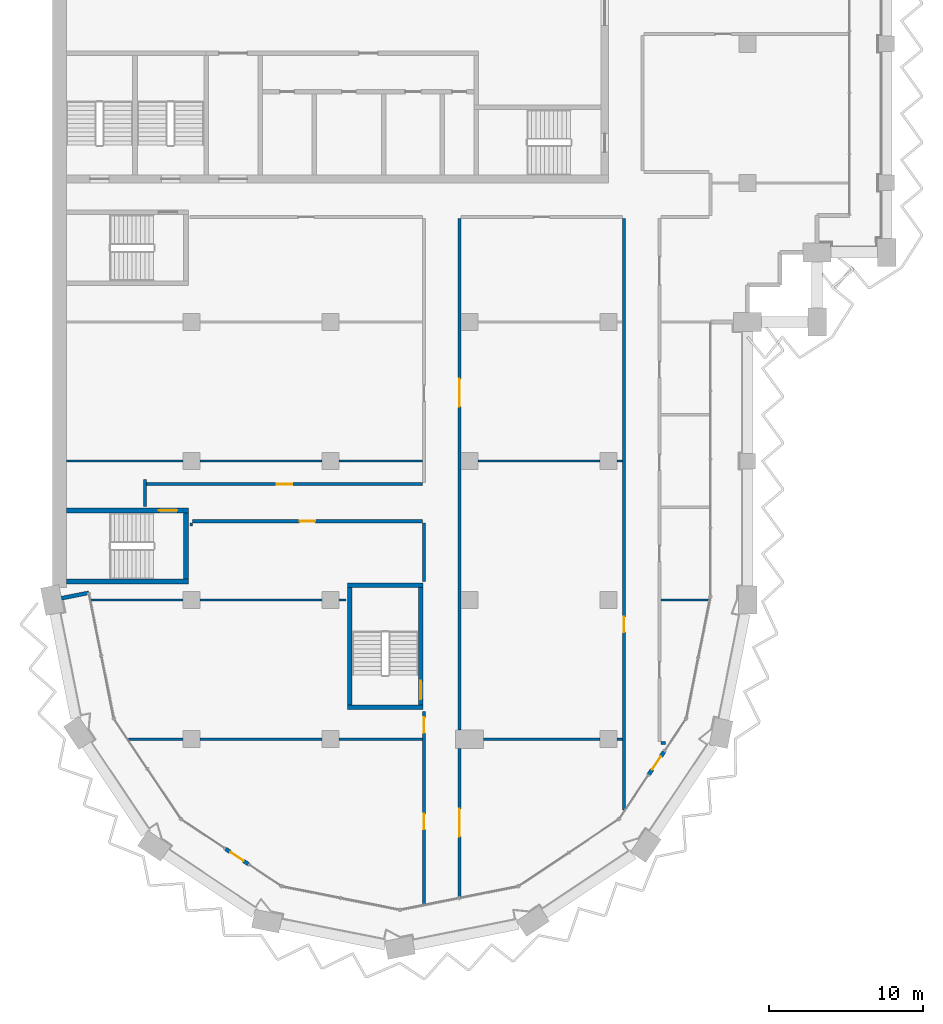
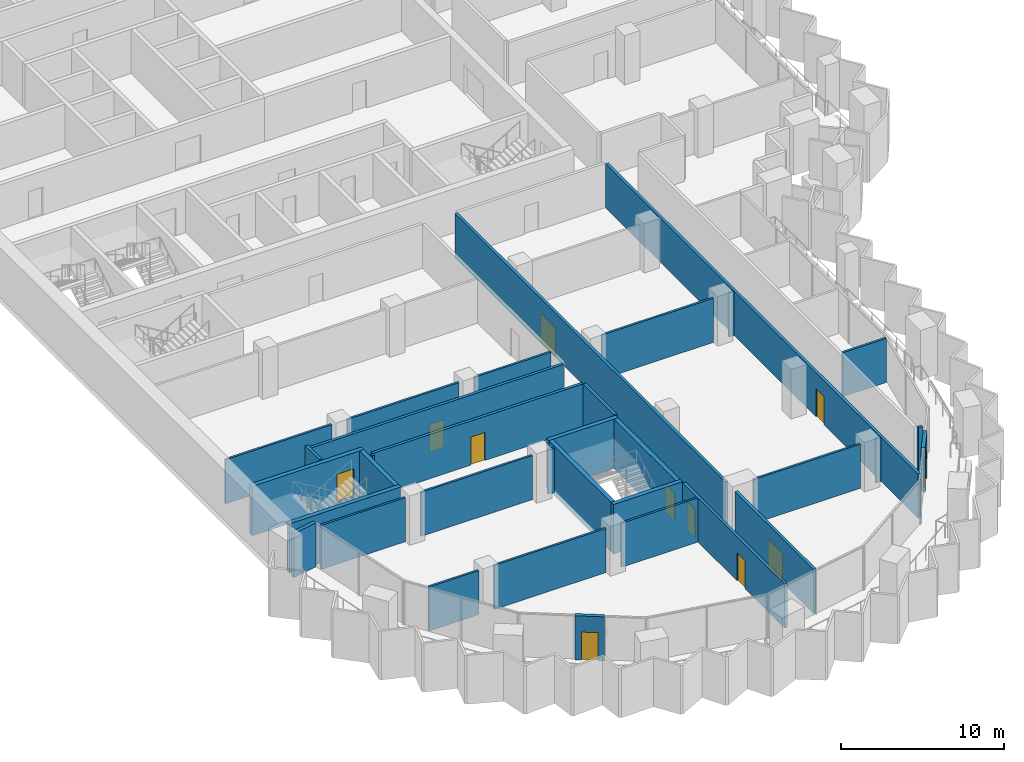
# One storey, part 7 of 17: 34 walls, 11 doors, 11 openings.
"""IFC4 building model written with IfcOpenShell, lengths in metres."""

from ifc_helpers import new_model, si_unit, direction, frame, frame_2d, origin, place, context, subcontext, project, spatial, rectangle, extrude, material, layer, layer_set, type_object, element, fill, save


model = new_model("IFC4")

# Units and contexts
model_context = context("Model", 3, precision=1e-05, world=origin(), true_north=direction((0.0, 1.0)))
body_context = subcontext(model_context, "Body", "Model", "MODEL_VIEW")
ifc_project = project(units=[si_unit("LENGTHUNIT", "METRE"), si_unit("AREAUNIT", "SQUARE_METRE"), si_unit("VOLUMEUNIT", "CUBIC_METRE"), si_unit("PLANEANGLEUNIT", "RADIAN"), si_unit("MASSUNIT", "GRAM", prefix="KILO")], contexts=[model_context])

# Site, building, storey
site_placement = place(None, origin())
site = spatial("IfcSite", under=ifc_project, at=site_placement, CompositionType="ELEMENT")
building_placement = place(site_placement, origin())
building = spatial("IfcBuilding", under=site, at=building_placement, Name="Hunhe Ridgeline Campus", CompositionType="ELEMENT")
storey_placement = place(building_placement, frame((0.0, 0.0, 201.300048828125)))
storey = spatial("IfcBuildingStorey", under=building, at=storey_placement, Name="L51", CompositionType="ELEMENT", Elevation=201.300048828125)

# Walls
ifc_material_1 = material(Name="Concrete C30", Category="concrete")
ifc_layer_1 = layer(ifc_material_1, 0.25)
ifc_layer_set_1 = layer_set([ifc_layer_1], Name="Corner return wall 250 Concrete C30")
wall_type_1 = type_object("IfcWallType", Name="Corner return wall 250 Concrete C30", PredefinedType="SOLIDWALL", material=ifc_layer_set_1)
wall_1_placement = place(storey_placement, frame((0.58837890625, 36.117919921875, 0.0), z_axis=(0.0, 0.0, 1.0), x_axis=(0.980840518545, 0.194812415363, 0.0)))
element("IfcWall", 1, at=wall_1_placement, inside=storey, type_object=wall_type_1, Name="Corner return wall 1", PredefinedType="SOLIDWALL", context=body_context, shape_type="SweptSolid", body=[
    extrude(rectangle(XDim=1.80078125, YDim=0.25, at=frame_2d((0.900390625, 0.0))), origin(), (0.0, 0.0, 1.0), 3.300048828125),
])
ifc_material_2 = material(Name="Gypsum board partition")
ifc_layer_2 = layer(ifc_material_2, 0.199951171875)
ifc_layer_set_2 = layer_set([ifc_layer_2], Name="Corridor partition 200 gypsum board on steel studs")
wall_type_2 = type_object("IfcWallType", Name="Corridor partition 200 gypsum board on steel studs", PredefinedType="PARTITIONING", material=ifc_layer_set_2)
wall_2_placement = place(storey_placement, frame((39.39990234375, 26.748046875, 0.0), z_axis=(0.0, 0.0, 1.0), x_axis=(1.0, 0.0, 0.0)))
element("IfcWall", 2, at=wall_2_placement, inside=storey, type_object=wall_type_2, Name="F-L51-wall-001", PredefinedType="PARTITIONING", context=body_context, shape_type="SweptSolid", body=[
    extrude(rectangle(XDim=0.30224609375, YDim=0.199951171875, at=frame_2d((0.151123046875, 0.0))), origin(), (0.0, 0.0, 1.0), 3.300048828125),
])

# Wall, opening, door
wall_3_placement = place(storey_placement, frame((23.949951171875, 41.10009765625, 0.0), z_axis=(0.0, 0.0, 1.0), x_axis=(-1.0, 0.0, 0.0)))
wall_3 = element("IfcWall", 3, at=wall_3_placement, inside=storey, type_object=wall_type_2, Name="F-L51-wall-011", PredefinedType="PARTITIONING", context=body_context, shape_type="SweptSolid", body=[
    extrude(rectangle(XDim=14.875, YDim=0.199951171875, at=frame_2d((7.4375, 0.0))), origin(), (0.0, 0.0, 1.0), 3.300048828125),
])
opening_1_placement = place(wall_3_placement, frame((6.9375, 0.0, 0.0)))
opening_1 = element("IfcOpeningElement", 4, at=opening_1_placement, cuts=wall_3, Name="Opening RD1-007", PredefinedType="OPENING", context=body_context, shape_type="SweptSolid", body=[
    extrude(rectangle(XDim=1.0, YDim=2.10009765625, at=frame_2d((0.5, 1.050048828125))), frame((0.0, 0.10009765625, 0.0), z_axis=(0.0, -1.0, 0.0), x_axis=(1.0, 0.0, 0.0)), (0.0, 0.0, 1.0), 0.199951171875),
])
ifc_material_3 = material(Name="Timber door leaf", Category="wood")
door_type_1 = type_object("IfcDoorType", Name="Single fire door 1000x2100 timber FD60", OperationType="NOTDEFINED", PredefinedType="DOOR", material=ifc_material_3)
door_1_placement = place(opening_1_placement, origin())
door_1 = element("IfcDoor", 5, at=door_1_placement, inside=storey, type_object=door_type_1, Name="F-L51-door-007", OperationType="SINGLE_SWING_LEFT", OverallHeight=2.10009765625, OverallWidth=1.0, PredefinedType="DOOR", context=body_context, shape_type="SweptSolid", body=[
    extrude(rectangle(XDim=1.0, YDim=2.10009765625, at=frame_2d((0.5, 1.050048828125))), frame((0.0, 0.02490234375, 0.0), z_axis=(0.0, -1.0, 0.0), x_axis=(1.0, 0.0, 0.0)), (0.0, 0.0, 1.0), 0.050048828125),
])
fill(opening_1, door_1)

wall_4_placement = place(storey_placement, frame((6.10009765625, 43.5, 0.0), z_axis=(0.0, 0.0, 1.0), x_axis=(1.0, 0.0, 0.0)))
wall_4 = element("IfcWall", 6, at=wall_4_placement, inside=storey, type_object=wall_type_2, Name="F-L51-wall-013", PredefinedType="PARTITIONING", context=body_context, shape_type="SweptSolid", body=[
    extrude(rectangle(XDim=17.849853515625, YDim=0.199951171875, at=frame_2d((8.9248046875, 0.0))), origin(), (0.0, 0.0, 1.0), 3.300048828125),
])
opening_2_placement = place(wall_4_placement, frame((8.425048828125, 0.0, 0.0)))
opening_2 = element("IfcOpeningElement", 7, at=opening_2_placement, cuts=wall_4, Name="Opening RD1-008", PredefinedType="OPENING", context=body_context, shape_type="SweptSolid", body=[
    extrude(rectangle(XDim=1.0, YDim=2.10009765625, at=frame_2d((0.5, 1.050048828125))), frame((0.0, 0.10009765625, 0.0), z_axis=(0.0, -1.0, 0.0), x_axis=(1.0, 0.0, 0.0)), (0.0, 0.0, 1.0), 0.199951171875),
])
door_2_placement = place(opening_2_placement, origin())
door_2 = element("IfcDoor", 8, at=door_2_placement, inside=storey, type_object=door_type_1, Name="F-L51-door-008", OperationType="SINGLE_SWING_LEFT", OverallHeight=2.10009765625, OverallWidth=1.0, PredefinedType="DOOR", context=body_context, shape_type="SweptSolid", body=[
    extrude(rectangle(XDim=1.0, YDim=2.10009765625, at=frame_2d((0.5, 1.050048828125))), frame((0.0, 0.02490234375, 0.0), z_axis=(0.0, -1.0, 0.0), x_axis=(1.0, 0.0, 0.0)), (0.0, 0.0, 1.0), 0.050048828125),
])
fill(opening_2, door_2)

# Wall
wall_5_placement = place(storey_placement, frame((6.0, 42.053955078125, 0.0), z_axis=(0.0, 0.0, 1.0), x_axis=(0.0, 1.0, 0.0)))
element("IfcWall", 9, at=wall_5_placement, inside=storey, type_object=wall_type_2, Name="F-L51-wall-036", PredefinedType="PARTITIONING", context=body_context, shape_type="SweptSolid", body=[
    extrude(rectangle(XDim=1.74609375, YDim=0.199951171875, at=frame_2d((0.873046875, 0.0))), origin(), (0.0, 0.0, 1.0), 3.300048828125),
])

# Wall, openings, doors
wall_6_placement = place(storey_placement, frame((24.050048828125, 16.3115234375, 0.0), z_axis=(0.0, 0.0, 1.0), x_axis=(0.0, 1.0, 0.0)))
wall_6 = element("IfcWall", 10, at=wall_6_placement, inside=storey, type_object=wall_type_2, Name="F-L51-wall-038", PredefinedType="PARTITIONING", context=body_context, shape_type="SweptSolid", body=[
    extrude(rectangle(XDim=12.484375, YDim=0.199951171875, at=frame_2d((6.2421875, 0.0))), origin(), (0.0, 0.0, 1.0), 3.300048828125),
])
opening_3_placement = place(wall_6_placement, frame((4.8505859375, 0.0, 0.0)))
opening_3 = element("IfcOpeningElement", 11, at=opening_3_placement, cuts=wall_6, Name="Opening RD1-002", PredefinedType="OPENING", context=body_context, shape_type="SweptSolid", body=[
    extrude(rectangle(XDim=1.0, YDim=2.10009765625, at=frame_2d((0.5, 1.050048828125))), frame((0.0, 0.10009765625, 0.0), z_axis=(0.0, -1.0, 0.0), x_axis=(1.0, 0.0, 0.0)), (0.0, 0.0, 1.0), 0.199951171875),
])
opening_4_placement = place(wall_6_placement, frame((11.0927734375, 0.0, 0.0)))
opening_4 = element("IfcOpeningElement", 12, at=opening_4_placement, cuts=wall_6, Name="Opening RD1-003", PredefinedType="OPENING", context=body_context, shape_type="SweptSolid", body=[
    extrude(rectangle(XDim=1.0, YDim=2.10009765625, at=frame_2d((0.5, 1.050048828125))), frame((0.0, 0.10009765625, 0.0), z_axis=(0.0, -1.0, 0.0), x_axis=(1.0, 0.0, 0.0)), (0.0, 0.0, 1.0), 0.199951171875),
])
door_3_placement = place(opening_3_placement, origin())
door_3 = element("IfcDoor", 13, at=door_3_placement, inside=storey, type_object=door_type_1, Name="F-L51-door-002", OperationType="SINGLE_SWING_RIGHT", OverallHeight=2.10009765625, OverallWidth=1.0, PredefinedType="DOOR", context=body_context, shape_type="SweptSolid", body=[
    extrude(rectangle(XDim=1.0, YDim=2.10009765625, at=frame_2d((0.5, 1.050048828125))), frame((0.0, 0.02490234375, 0.0), z_axis=(0.0, -1.0, 0.0), x_axis=(1.0, 0.0, 0.0)), (0.0, 0.0, 1.0), 0.050048828125),
])
fill(opening_3, door_3)
door_4_placement = place(opening_4_placement, origin())
door_4 = element("IfcDoor", 14, at=door_4_placement, inside=storey, type_object=door_type_1, Name="F-L51-door-003", OperationType="SINGLE_SWING_RIGHT", OverallHeight=2.10009765625, OverallWidth=1.0, PredefinedType="DOOR", context=body_context, shape_type="SweptSolid", body=[
    extrude(rectangle(XDim=1.0, YDim=2.10009765625, at=frame_2d((0.5, 1.050048828125))), frame((0.0, 0.02490234375, 0.0), z_axis=(0.0, -1.0, 0.0), x_axis=(1.0, 0.0, 0.0)), (0.0, 0.0, 1.0), 0.050048828125),
])
fill(opening_4, door_4)

# Wall
wall_7_placement = place(storey_placement, frame((24.050048828125, 37.2041015625, 0.0), z_axis=(0.0, 0.0, 1.0), x_axis=(0.0, 1.0, 0.0)))
element("IfcWall", 15, at=wall_7_placement, inside=storey, type_object=wall_type_2, Name="F-L51-wall-039", PredefinedType="PARTITIONING", context=body_context, shape_type="SweptSolid", body=[
    extrude(rectangle(XDim=3.7958984375, YDim=0.199951171875, at=frame_2d((1.89794921875, 0.0))), origin(), (0.0, 0.0, 1.0), 3.300048828125),
])

# Wall, opening, door
wall_8_placement = place(storey_placement, frame((26.35009765625, 26.39990234375, 0.0), z_axis=(0.0, 0.0, 1.0), x_axis=(0.0, -1.0, 0.0)))
wall_8 = element("IfcWall", 16, at=wall_8_placement, inside=storey, type_object=wall_type_2, Name="F-L51-wall-041", PredefinedType="PARTITIONING", context=body_context, shape_type="SweptSolid", body=[
    extrude(rectangle(XDim=9.631103515625, YDim=0.199951171875, at=frame_2d((4.8154296875, 0.0))), origin(), (0.0, 0.0, 1.0), 3.300048828125),
])
opening_5_placement = place(wall_8_placement, frame((3.91552734375, 0.0, 0.0)))
opening_5 = element("IfcOpeningElement", 17, at=opening_5_placement, cuts=wall_8, Name="Opening RD2-001", PredefinedType="OPENING", context=body_context, shape_type="SweptSolid", body=[
    extrude(rectangle(XDim=1.800048828125, YDim=2.10009765625, at=frame_2d((0.89990234375, 1.050048828125))), frame((0.0, 0.10009765625, 0.0), z_axis=(0.0, -1.0, 0.0), x_axis=(1.0, 0.0, 0.0)), (0.0, 0.0, 1.0), 0.199951171875),
])
door_type_2 = type_object("IfcDoorType", Name="Double fire door 1800x2100 timber FD60", OperationType="DOUBLE_DOOR_SINGLE_SWING", PredefinedType="DOOR", material=ifc_material_3)
door_5_placement = place(opening_5_placement, origin())
door_5 = element("IfcDoor", 18, at=door_5_placement, inside=storey, type_object=door_type_2, Name="F-L51-door-001", OperationType="DOUBLE_DOOR_SINGLE_SWING", OverallHeight=2.10009765625, OverallWidth=1.800048828125, PredefinedType="DOOR", context=body_context, shape_type="SweptSolid", body=[
    extrude(rectangle(XDim=1.800048828125, YDim=2.10009765625, at=frame_2d((0.89990234375, 1.050048828125))), frame((0.0, 0.02490234375, 0.0), z_axis=(0.0, -1.0, 0.0), x_axis=(1.0, 0.0, 0.0)), (0.0, 0.0, 1.0), 0.050048828125),
])
fill(opening_5, door_5)

wall_9_placement = place(storey_placement, frame((26.35009765625, 60.699951171875, 0.0), z_axis=(0.0, 0.0, 1.0), x_axis=(0.0, -1.0, 0.0)))
wall_9 = element("IfcWall", 19, at=wall_9_placement, inside=storey, type_object=wall_type_2, Name="F-L51-wall-042", PredefinedType="PARTITIONING", context=body_context, shape_type="SweptSolid", body=[
    extrude(rectangle(XDim=33.099853515625, YDim=0.199951171875, at=frame_2d((16.5498046875, 0.0))), origin(), (0.0, 0.0, 1.0), 3.300048828125),
])
opening_6_placement = place(wall_9_placement, frame((10.384033203125, 0.0, 0.0)))
opening_6 = element("IfcOpeningElement", 20, at=opening_6_placement, cuts=wall_9, Name="Opening RD2-011", PredefinedType="OPENING", context=body_context, shape_type="SweptSolid", body=[
    extrude(rectangle(XDim=1.800048828125, YDim=2.10009765625, at=frame_2d((0.89990234375, 1.050048828125))), frame((0.0, 0.10009765625, 0.0), z_axis=(0.0, -1.0, 0.0), x_axis=(1.0, 0.0, 0.0)), (0.0, 0.0, 1.0), 0.199951171875),
])
door_6_placement = place(opening_6_placement, origin())
door_6 = element("IfcDoor", 21, at=door_6_placement, inside=storey, type_object=door_type_2, Name="F-L51-door-011", OperationType="DOUBLE_DOOR_SINGLE_SWING", OverallHeight=2.10009765625, OverallWidth=1.800048828125, PredefinedType="DOOR", context=body_context, shape_type="SweptSolid", body=[
    extrude(rectangle(XDim=1.800048828125, YDim=2.10009765625, at=frame_2d((0.89990234375, 1.050048828125))), frame((0.0, 0.02490234375, 0.0), z_axis=(0.0, -1.0, 0.0), x_axis=(1.0, 0.0, 0.0)), (0.0, 0.0, 1.0), 0.050048828125),
])
fill(opening_6, door_6)

wall_10_placement = place(storey_placement, frame((37.0, 22.39892578125, 0.0), z_axis=(0.0, 0.0, 1.0), x_axis=(0.0, 1.0, 0.0)))
wall_10 = element("IfcWall", 22, at=wall_10_placement, inside=storey, type_object=wall_type_2, Name="F-L51-wall-043", PredefinedType="PARTITIONING", context=body_context, shape_type="SweptSolid", body=[
    extrude(rectangle(XDim=38.301025390625, YDim=0.199951171875, at=frame_2d((19.150390625, 0.0))), origin(), (0.0, 0.0, 1.0), 3.300048828125),
])
opening_7_placement = place(wall_10_placement, frame((11.51806640625, 0.0, 0.0)))
opening_7 = element("IfcOpeningElement", 23, at=opening_7_placement, cuts=wall_10, Name="Opening RD1-005", PredefinedType="OPENING", context=body_context, shape_type="SweptSolid", body=[
    extrude(rectangle(XDim=1.0, YDim=2.10009765625, at=frame_2d((0.5, 1.050048828125))), frame((0.0, 0.10009765625, 0.0), z_axis=(0.0, -1.0, 0.0), x_axis=(1.0, 0.0, 0.0)), (0.0, 0.0, 1.0), 0.199951171875),
])
door_7_placement = place(opening_7_placement, origin())
door_7 = element("IfcDoor", 24, at=door_7_placement, inside=storey, type_object=door_type_1, Name="F-L51-door-005", OperationType="SINGLE_SWING_LEFT", OverallHeight=2.10009765625, OverallWidth=1.0, PredefinedType="DOOR", context=body_context, shape_type="SweptSolid", body=[
    extrude(rectangle(XDim=1.0, YDim=2.10009765625, at=frame_2d((0.5, 1.050048828125))), frame((0.0, 0.02490234375, 0.0), z_axis=(0.0, -1.0, 0.0), x_axis=(1.0, 0.0, 0.0)), (0.0, 0.0, 1.0), 0.050048828125),
])
fill(opening_7, door_7)

ifc_layer_3 = layer(ifc_material_1, 0.25)
ifc_layer_set_3 = layer_set([ifc_layer_3], Name="Loggia door pier wall 250 Concrete C30")
wall_type_3 = type_object("IfcWallType", Name="Loggia door pier wall 250 Concrete C30", PredefinedType="SOLIDWALL", material=ifc_layer_set_3)
wall_11_placement = place(storey_placement, frame((11.19970703125, 19.897705078125, 0.0), z_axis=(0.0, 0.0, 1.0), x_axis=(0.83146554274, -0.555576323502, 0.0)))
wall_11 = element("IfcWall", 25, at=wall_11_placement, inside=storey, type_object=wall_type_3, Name="Loggia door pier 1", PredefinedType="SOLIDWALL", context=body_context, shape_type="SweptSolid", body=[
    extrude(rectangle(XDim=1.800048828125, YDim=0.25, at=frame_2d((0.89990234375, 0.0))), origin(), (0.0, 0.0, 1.0), 3.300048828125),
])
opening_8_placement = place(wall_11_placement, frame((0.39990234375, 0.0, 0.0)))
opening_8 = element("IfcOpeningElement", 26, at=opening_8_placement, cuts=wall_11, Name="Opening BD402", PredefinedType="OPENING", context=body_context, shape_type="SweptSolid", body=[
    extrude(rectangle(XDim=1.0, YDim=2.10009765625, at=frame_2d((0.5, 1.050048828125))), frame((0.0, 0.125, 0.0), z_axis=(0.0, -1.0, 0.0), x_axis=(1.0, 0.0, 0.0)), (0.0, 0.0, 1.0), 0.25),
])
ifc_material_4 = material(Name="Aluminium 6063", Category="aluminium")
door_type_3 = type_object("IfcDoorType", Name="Loggia glazed door 1000x2100", OperationType="NOTDEFINED", PredefinedType="DOOR", material=ifc_material_4)
door_8_placement = place(opening_8_placement, frame((1.0, 0.0, 0.0), z_axis=(0.0, 0.0, 1.0), x_axis=(-1.0, 0.0, 0.0)))
door_8 = element("IfcDoor", 27, at=door_8_placement, inside=storey, type_object=door_type_3, Name="Loggia door BD402", OperationType="SINGLE_SWING_LEFT", OverallHeight=2.10009765625, OverallWidth=1.0, PredefinedType="DOOR", context=body_context, shape_type="SweptSolid", body=[
    extrude(rectangle(XDim=1.0, YDim=2.10009765625, at=frame_2d((0.5, 1.050048828125))), frame((0.0, 0.02490234375, 0.0), z_axis=(0.0, -1.0, 0.0), x_axis=(1.0, 0.0, 0.0)), (0.0, 0.0, 1.0), 0.050048828125),
])
fill(opening_8, door_8)

wall_12_placement = place(storey_placement, frame((38.602294921875, 24.69970703125, 0.0), z_axis=(0.0, 0.0, 1.0), x_axis=(0.555576323502, 0.83146554274, 0.0)))
wall_12 = element("IfcWall", 28, at=wall_12_placement, inside=storey, type_object=wall_type_3, Name="Loggia door pier 2", PredefinedType="SOLIDWALL", context=body_context, shape_type="SweptSolid", body=[
    extrude(rectangle(XDim=1.800048828125, YDim=0.25, at=frame_2d((0.89990234375, 0.0))), origin(), (0.0, 0.0, 1.0), 3.300048828125),
])
opening_9_placement = place(wall_12_placement, frame((0.39990234375, 0.0, 0.0)))
opening_9 = element("IfcOpeningElement", 29, at=opening_9_placement, cuts=wall_12, Name="Opening BD404", PredefinedType="OPENING", context=body_context, shape_type="SweptSolid", body=[
    extrude(rectangle(XDim=1.0, YDim=2.10009765625, at=frame_2d((0.5, 1.050048828125))), frame((0.0, 0.125, 0.0), z_axis=(0.0, -1.0, 0.0), x_axis=(1.0, 0.0, 0.0)), (0.0, 0.0, 1.0), 0.25),
])
door_9_placement = place(opening_9_placement, frame((1.0, 0.0, 0.0), z_axis=(0.0, 0.0, 1.0), x_axis=(-1.0, 0.0, 0.0)))
door_9 = element("IfcDoor", 30, at=door_9_placement, inside=storey, type_object=door_type_3, Name="Loggia door BD404", OperationType="SINGLE_SWING_LEFT", OverallHeight=2.10009765625, OverallWidth=1.0, PredefinedType="DOOR", context=body_context, shape_type="SweptSolid", body=[
    extrude(rectangle(XDim=1.0, YDim=2.10009765625, at=frame_2d((0.5, 1.050048828125))), frame((0.0, 0.02490234375, 0.0), z_axis=(0.0, -1.0, 0.0), x_axis=(1.0, 0.0, 0.0)), (0.0, 0.0, 1.0), 0.050048828125),
])
fill(opening_9, door_9)

# Walls
ifc_layer_4 = layer(ifc_material_2, 0.14990234375)
ifc_layer_set_4 = layer_set([ifc_layer_4], Name="Room partition 150 gypsum board on steel studs")
wall_type_4 = type_object("IfcWallType", Name="Room partition 150 gypsum board on steel studs", PredefinedType="PARTITIONING", material=ifc_layer_set_4)
wall_13_placement = place(storey_placement, frame((4.925537109375, 27.0, 0.0), z_axis=(0.0, 0.0, 1.0), x_axis=(1.0, 0.0, 0.0)))
element("IfcWall", 31, at=wall_13_placement, inside=storey, type_object=wall_type_4, Name="F-L51-wall-002", PredefinedType="PARTITIONING", context=body_context, shape_type="SweptSolid", body=[
    extrude(rectangle(XDim=3.5244140625, YDim=0.14990234375, at=frame_2d((1.76220703125, 0.0))), origin(), (0.0, 0.0, 1.0), 3.300048828125),
])
wall_14_placement = place(storey_placement, frame((9.550048828125, 27.0, 0.0), z_axis=(0.0, 0.0, 1.0), x_axis=(1.0, 0.0, 0.0)))
element("IfcWall", 32, at=wall_14_placement, inside=storey, type_object=wall_type_4, Name="F-L51-wall-003", PredefinedType="PARTITIONING", context=body_context, shape_type="SweptSolid", body=[
    extrude(rectangle(XDim=7.89990234375, YDim=0.14990234375, at=frame_2d((3.949951171875, 0.0))), origin(), (0.0, 0.0, 1.0), 3.300048828125),
])
wall_15_placement = place(storey_placement, frame((18.550048828125, 27.0, 0.0), z_axis=(0.0, 0.0, 1.0), x_axis=(1.0, 0.0, 0.0)))
element("IfcWall", 33, at=wall_15_placement, inside=storey, type_object=wall_type_4, Name="F-L51-wall-004", PredefinedType="PARTITIONING", context=body_context, shape_type="SweptSolid", body=[
    extrude(rectangle(XDim=5.39990234375, YDim=0.14990234375, at=frame_2d((2.699951171875, 0.0))), origin(), (0.0, 0.0, 1.0), 3.300048828125),
])
wall_16_placement = place(storey_placement, frame((27.89990234375, 27.0, 0.0), z_axis=(0.0, 0.0, 1.0), x_axis=(1.0, 0.0, 0.0)))
element("IfcWall", 34, at=wall_16_placement, inside=storey, type_object=wall_type_4, Name="F-L51-wall-005", PredefinedType="PARTITIONING", context=body_context, shape_type="SweptSolid", body=[
    extrude(rectangle(XDim=7.550048828125, YDim=0.14990234375, at=frame_2d((3.77490234375, 0.0))), origin(), (0.0, 0.0, 1.0), 3.300048828125),
])
wall_17_placement = place(storey_placement, frame((36.550048828125, 27.0, 0.0), z_axis=(0.0, 0.0, 1.0), x_axis=(1.0, 0.0, 0.0)))
element("IfcWall", 35, at=wall_17_placement, inside=storey, type_object=wall_type_4, Name="F-L51-wall-006", PredefinedType="PARTITIONING", context=body_context, shape_type="SweptSolid", body=[
    extrude(rectangle(XDim=0.349853515625, YDim=0.14990234375, at=frame_2d((0.1748046875, 0.0))), origin(), (0.0, 0.0, 1.0), 3.300048828125),
])
wall_18_placement = place(storey_placement, frame((2.503173828125, 36.0, 0.0), z_axis=(0.0, 0.0, 1.0), x_axis=(1.0, 0.0, 0.0)))
element("IfcWall", 36, at=wall_18_placement, inside=storey, type_object=wall_type_4, Name="F-L51-wall-007", PredefinedType="PARTITIONING", context=body_context, shape_type="SweptSolid", body=[
    extrude(rectangle(XDim=5.94677734375, YDim=0.14990234375, at=frame_2d((2.973388671875, 0.0))), origin(), (0.0, 0.0, 1.0), 3.300048828125),
])
wall_19_placement = place(storey_placement, frame((9.550048828125, 36.0, 0.0), z_axis=(0.0, 0.0, 1.0), x_axis=(1.0, 0.0, 0.0)))
element("IfcWall", 37, at=wall_19_placement, inside=storey, type_object=wall_type_4, Name="F-L51-wall-008", PredefinedType="PARTITIONING", context=body_context, shape_type="SweptSolid", body=[
    extrude(rectangle(XDim=7.89990234375, YDim=0.14990234375, at=frame_2d((3.949951171875, 0.0))), origin(), (0.0, 0.0, 1.0), 3.300048828125),
])
wall_20_placement = place(storey_placement, frame((18.550048828125, 36.0, 0.0), z_axis=(0.0, 0.0, 1.0), x_axis=(1.0, 0.0, 0.0)))
element("IfcWall", 38, at=wall_20_placement, inside=storey, type_object=wall_type_4, Name="F-L51-wall-009", PredefinedType="PARTITIONING", context=body_context, shape_type="SweptSolid", body=[
    extrude(rectangle(XDim=0.446044921875, YDim=0.14990234375, at=frame_2d((0.22314453125, 0.0))), origin(), (0.0, 0.0, 1.0), 3.300048828125),
])
wall_21_placement = place(storey_placement, frame((39.39990234375, 36.0, 0.0), z_axis=(0.0, 0.0, 1.0), x_axis=(1.0, 0.0, 0.0)))
element("IfcWall", 39, at=wall_21_placement, inside=storey, type_object=wall_type_4, Name="F-L51-wall-010", PredefinedType="PARTITIONING", context=body_context, shape_type="SweptSolid", body=[
    extrude(rectangle(XDim=3.096923828125, YDim=0.14990234375, at=frame_2d((1.54833984375, 0.0))), origin(), (0.0, 0.0, 1.0), 3.300048828125),
])
wall_22_placement = place(storey_placement, frame((0.919921875, 45.0, 0.0), z_axis=(0.0, 0.0, 1.0), x_axis=(1.0, 0.0, 0.0)))
element("IfcWall", 40, at=wall_22_placement, inside=storey, type_object=wall_type_4, Name="F-L51-wall-014", PredefinedType="PARTITIONING", context=body_context, shape_type="SweptSolid", body=[
    extrude(rectangle(XDim=7.530029296875, YDim=0.14990234375, at=frame_2d((3.76513671875, 0.0))), origin(), (0.0, 0.0, 1.0), 3.300048828125),
])
wall_23_placement = place(storey_placement, frame((9.550048828125, 45.0, 0.0), z_axis=(0.0, 0.0, 1.0), x_axis=(1.0, 0.0, 0.0)))
element("IfcWall", 41, at=wall_23_placement, inside=storey, type_object=wall_type_4, Name="F-L51-wall-015", PredefinedType="PARTITIONING", context=body_context, shape_type="SweptSolid", body=[
    extrude(rectangle(XDim=7.89990234375, YDim=0.14990234375, at=frame_2d((3.949951171875, 0.0))), origin(), (0.0, 0.0, 1.0), 3.300048828125),
])
wall_24_placement = place(storey_placement, frame((18.550048828125, 45.0, 0.0), z_axis=(0.0, 0.0, 1.0), x_axis=(1.0, 0.0, 0.0)))
element("IfcWall", 42, at=wall_24_placement, inside=storey, type_object=wall_type_4, Name="F-L51-wall-016", PredefinedType="PARTITIONING", context=body_context, shape_type="SweptSolid", body=[
    extrude(rectangle(XDim=5.39990234375, YDim=0.14990234375, at=frame_2d((2.699951171875, 0.0))), origin(), (0.0, 0.0, 1.0), 3.300048828125),
])
wall_25_placement = place(storey_placement, frame((27.550048828125, 45.0, 0.0), z_axis=(0.0, 0.0, 1.0), x_axis=(1.0, 0.0, 0.0)))
element("IfcWall", 43, at=wall_25_placement, inside=storey, type_object=wall_type_4, Name="F-L51-wall-017", PredefinedType="PARTITIONING", context=body_context, shape_type="SweptSolid", body=[
    extrude(rectangle(XDim=7.89990234375, YDim=0.14990234375, at=frame_2d((3.949951171875, 0.0))), origin(), (0.0, 0.0, 1.0), 3.300048828125),
])
wall_26_placement = place(storey_placement, frame((36.550048828125, 45.0, 0.0), z_axis=(0.0, 0.0, 1.0), x_axis=(1.0, 0.0, 0.0)))
element("IfcWall", 44, at=wall_26_placement, inside=storey, type_object=wall_type_4, Name="F-L51-wall-018", PredefinedType="PARTITIONING", context=body_context, shape_type="SweptSolid", body=[
    extrude(rectangle(XDim=0.349853515625, YDim=0.14990234375, at=frame_2d((0.1748046875, 0.0))), origin(), (0.0, 0.0, 1.0), 3.300048828125),
])
wall_27_placement = place(storey_placement, frame((9.0, 41.0, 0.0), z_axis=(0.0, 0.0, 1.0), x_axis=(0.0, -1.0, 0.0)))
element("IfcWall", 45, at=wall_27_placement, inside=storey, type_object=wall_type_4, Name="F-L51-wall-037", PredefinedType="PARTITIONING", context=body_context, shape_type="SweptSolid", body=[
    extrude(rectangle(XDim=0.199951171875, YDim=0.14990234375, at=frame_2d((0.10009765625, 0.0))), origin(), (0.0, 0.0, 1.0), 3.300048828125),
])
ifc_material_5 = material(Name="Concrete C60", Category="concrete")
ifc_layer_5 = layer(ifc_material_5, 0.300048828125)
ifc_layer_set_5 = layer_set([ifc_layer_5], Name="Stair wall 300 reinforced concrete C60")
wall_type_5 = type_object("IfcWallType", Name="Stair wall 300 reinforced concrete C60", PredefinedType="SOLIDWALL", material=ifc_layer_set_5)
for number, where, z_axis, x_axis, name in (
    (46, (19.10009765625, 29.050048828125, -0.400146484375), (0.0, 0.0, 1.0), (1.0, 0.0, 0.0), "L51 core wall 1"),
    (47, (19.10009765625, 36.949951171875, -0.400146484375), (0.0, 0.0, 1.0), (1.0, 0.0, 0.0), "L51 core wall 2"),
):
    element("IfcWall", number, at=place(storey_placement, frame(where, z_axis=z_axis, x_axis=x_axis)), inside=storey, type_object=wall_type_5, Name=name, PredefinedType="SOLIDWALL", context=body_context, shape_type="SweptSolid", body=[
        extrude(rectangle(XDim=4.89990234375, YDim=0.300048828125, at=frame_2d((2.449951171875, 0.0))), origin(), (0.0, 0.0, 1.0), 3.7001953125),
    ])
wall_28_placement = place(storey_placement, frame((0.89990234375, 37.199951171875, -0.400146484375), z_axis=(0.0, 0.0, 1.0), x_axis=(1.0, 0.0, 0.0)))
element("IfcWall", 48, at=wall_28_placement, inside=storey, type_object=wall_type_5, Name="L51 core wall 3", PredefinedType="SOLIDWALL", context=body_context, shape_type="SweptSolid", body=[
    extrude(rectangle(XDim=7.900146484375, YDim=0.300048828125, at=frame_2d((3.9501953125, 0.0))), origin(), (0.0, 0.0, 1.0), 3.7001953125),
])

# Wall, opening, door
wall_29_placement = place(storey_placement, frame((0.89990234375, 41.800048828125, -0.400146484375), z_axis=(0.0, 0.0, 1.0), x_axis=(1.0, 0.0, 0.0)))
wall_29 = element("IfcWall", 49, at=wall_29_placement, inside=storey, type_object=wall_type_5, Name="L51 core wall 4", PredefinedType="SOLIDWALL", context=body_context, shape_type="SweptSolid", body=[
    extrude(rectangle(XDim=7.900146484375, YDim=0.300048828125, at=frame_2d((3.9501953125, 0.0))), origin(), (0.0, 0.0, 1.0), 3.7001953125),
])
opening_10_placement = place(wall_29_placement, frame((6.0, 0.0, 0.39990234375)))
opening_10 = element("IfcOpeningElement", 50, at=opening_10_placement, cuts=wall_29, Name="Opening CD21", PredefinedType="OPENING", context=body_context, shape_type="SweptSolid", body=[
    extrude(rectangle(XDim=1.199951171875, YDim=2.10009765625, at=frame_2d((0.60009765625, 1.050048828125))), frame((0.0, 0.14990234375, 0.0), z_axis=(0.0, -1.0, 0.0), x_axis=(1.0, 0.0, 0.0)), (0.0, 0.0, 1.0), 0.300048828125),
])
ifc_material_6 = material(Name="Hollow metal fire door leaf")
door_type_4 = type_object("IfcDoorType", Name="Stair door 1200x2100 FD60", OperationType="SINGLE_SWING_LEFT", PredefinedType="DOOR", material=ifc_material_6)
door_10_placement = place(opening_10_placement, origin())
door_10 = element("IfcDoor", 51, at=door_10_placement, inside=storey, type_object=door_type_4, Name="L51 door W1", OperationType="SINGLE_SWING_LEFT", OverallHeight=2.10009765625, OverallWidth=1.199951171875, PredefinedType="DOOR", context=body_context, shape_type="SweptSolid", body=[
    extrude(rectangle(XDim=1.199951171875, YDim=2.10009765625, at=frame_2d((0.60009765625, 1.050048828125))), frame((0.0, 0.02490234375, 0.0), z_axis=(0.0, -1.0, 0.0), x_axis=(1.0, 0.0, 0.0)), (0.0, 0.0, 1.0), 0.050048828125),
])
fill(opening_10, door_10)

# Walls
wall_30_placement = place(storey_placement, frame((8.64990234375, 37.35009765625, -0.400146484375), z_axis=(0.0, 0.0, 1.0), x_axis=(0.0, 1.0, 0.0)))
element("IfcWall", 52, at=wall_30_placement, inside=storey, type_object=wall_type_5, Name="L51 core wall 29", PredefinedType="SOLIDWALL", context=body_context, shape_type="SweptSolid", body=[
    extrude(rectangle(XDim=4.2998046875, YDim=0.300048828125, at=frame_2d((2.14990234375, 0.0))), origin(), (0.0, 0.0, 1.0), 3.7001953125),
])
wall_31_placement = place(storey_placement, frame((19.25, 29.199951171875, -0.400146484375), z_axis=(0.0, 0.0, 1.0), x_axis=(0.0, 1.0, 0.0)))
element("IfcWall", 53, at=wall_31_placement, inside=storey, type_object=wall_type_5, Name="L51 core wall 40", PredefinedType="SOLIDWALL", context=body_context, shape_type="SweptSolid", body=[
    extrude(rectangle(XDim=7.60009765625, YDim=0.300048828125, at=frame_2d((3.800048828125, 0.0))), origin(), (0.0, 0.0, 1.0), 3.7001953125),
])

# Wall, opening, door
wall_32_placement = place(storey_placement, frame((23.85009765625, 29.199951171875, -0.400146484375), z_axis=(0.0, 0.0, 1.0), x_axis=(0.0, 1.0, 0.0)))
wall_32 = element("IfcWall", 54, at=wall_32_placement, inside=storey, type_object=wall_type_5, Name="L51 core wall 45", PredefinedType="SOLIDWALL", context=body_context, shape_type="SweptSolid", body=[
    extrude(rectangle(XDim=7.60009765625, YDim=0.300048828125, at=frame_2d((3.800048828125, 0.0))), origin(), (0.0, 0.0, 1.0), 3.7001953125),
])
opening_11_placement = place(wall_32_placement, frame((0.375, 0.0, 0.39990234375)))
opening_11 = element("IfcOpeningElement", 55, at=opening_11_placement, cuts=wall_32, Name="Opening CD23", PredefinedType="OPENING", context=body_context, shape_type="SweptSolid", body=[
    extrude(rectangle(XDim=1.199951171875, YDim=2.10009765625, at=frame_2d((0.60009765625, 1.050048828125))), frame((0.0, 0.14990234375, 0.0), z_axis=(0.0, -1.0, 0.0), x_axis=(1.0, 0.0, 0.0)), (0.0, 0.0, 1.0), 0.300048828125),
])
door_11_placement = place(opening_11_placement, frame((1.199951171875, 0.0, 0.0), z_axis=(0.0, 0.0, 1.0), x_axis=(-1.0, 0.0, 0.0)))
door_11 = element("IfcDoor", 56, at=door_11_placement, inside=storey, type_object=door_type_4, Name="L51 door W3", OperationType="SINGLE_SWING_RIGHT", OverallHeight=2.10009765625, OverallWidth=1.199951171875, PredefinedType="DOOR", context=body_context, shape_type="SweptSolid", body=[
    extrude(rectangle(XDim=1.199951171875, YDim=2.10009765625, at=frame_2d((0.60009765625, 1.050048828125))), frame((0.0, 0.02490234375, 0.0), z_axis=(0.0, -1.0, 0.0), x_axis=(1.0, 0.0, 0.0)), (0.0, 0.0, 1.0), 0.050048828125),
])
fill(opening_11, door_11)

save(model, "model.ifc")
